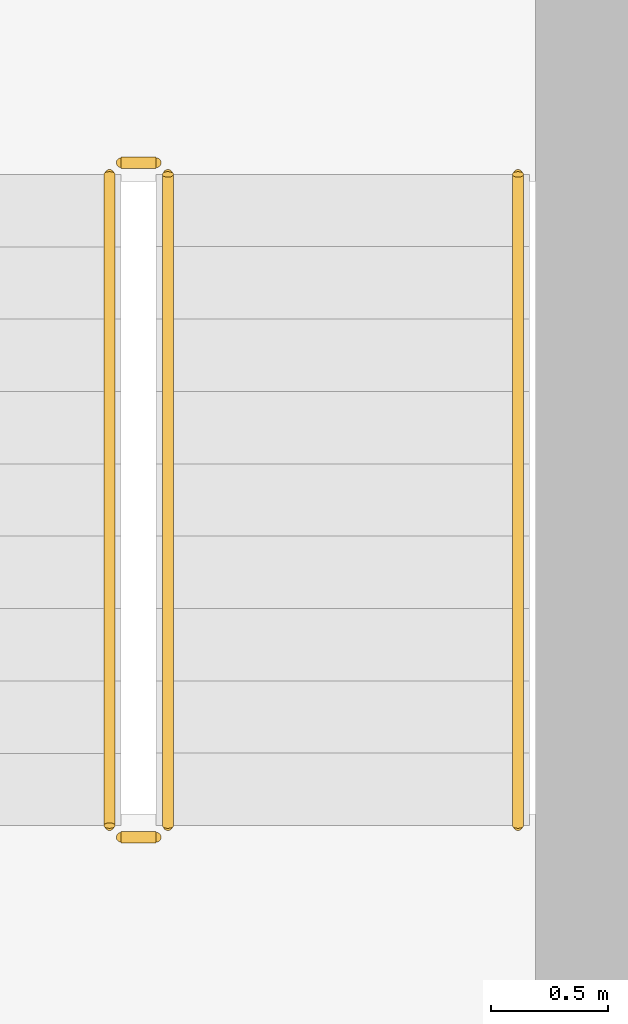
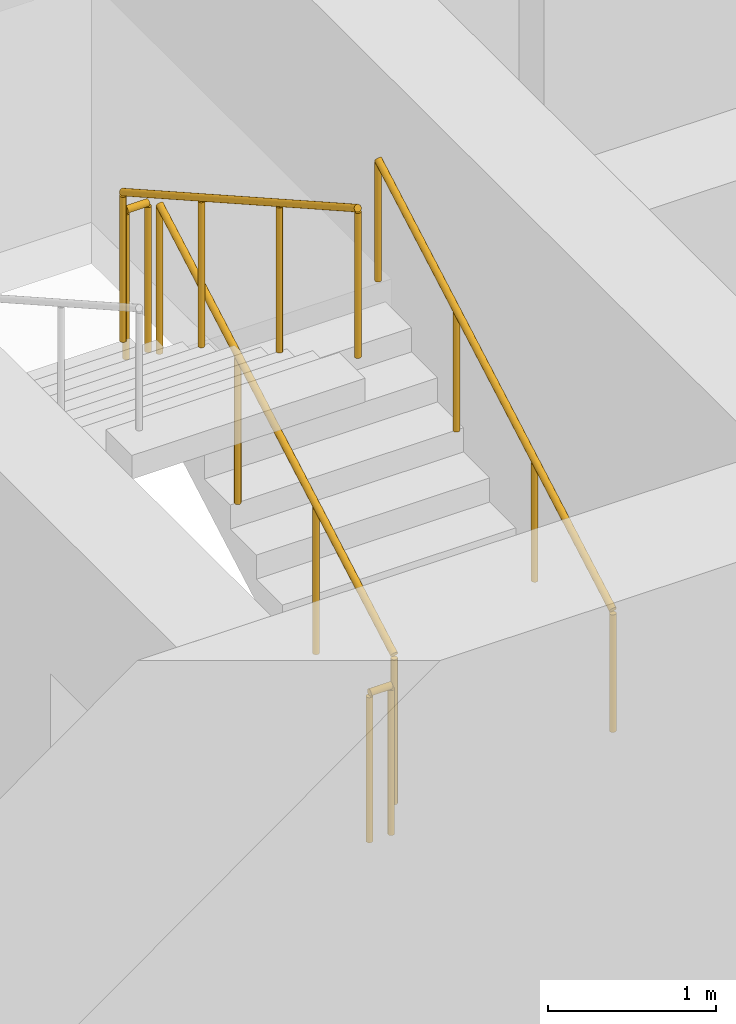
# One storey, part 18 of 22: 5 railings.
"""IFC4 building model written with IfcOpenShell, lengths in metres."""

from ifc_helpers import new_model, si_unit, direction, frame, origin, origin_2d, place, context, subcontext, project, spatial, circle, extrude, material, type_object, element, save


model = new_model("IFC4")

# Units and contexts
model_context = context("Model", 3, precision=1e-05, world=origin(), true_north=direction((0.0, 1.0)))
body_context = subcontext(model_context, "Body", "Model", "MODEL_VIEW")
ifc_project = project(units=[si_unit("LENGTHUNIT", "METRE"), si_unit("AREAUNIT", "SQUARE_METRE"), si_unit("VOLUMEUNIT", "CUBIC_METRE"), si_unit("PLANEANGLEUNIT", "RADIAN"), si_unit("MASSUNIT", "GRAM", prefix="KILO")], contexts=[model_context])

# Site, building, storey
site_placement = place(None, origin())
site = spatial("IfcSite", under=ifc_project, at=site_placement, CompositionType="ELEMENT")
building_placement = place(site_placement, origin())
building = spatial("IfcBuilding", under=site, at=building_placement, Name="Madar Terraces", CompositionType="ELEMENT")
storey_placement = place(building_placement, frame((0.0, 0.0, 62.800048828125)))
storey = spatial("IfcBuildingStorey", under=building, at=storey_placement, Name="L15", CompositionType="ELEMENT", Elevation=62.800048828125)

# Railings
ifc_material_1 = material(Name="Stainless steel railing", Category="steel")
railing_type_1 = type_object("IfcRailingType", Name="Stair guard 1100", PredefinedType="GUARDRAIL", material=ifc_material_1)
railing_1_placement = place(storey_placement, frame((21.199951171875, 17.60009765625, 0.175048828125)))
element("IfcRailing", 1, at=railing_1_placement, inside=storey, type_object=railing_type_1, Name="L15 ST1 stair guard 1", PredefinedType="GUARDRAIL", context=body_context, shape_type="SweptSolid", body=[
    extrude(circle(Radius=0.02392578125, at=origin_2d()), frame((0.0, 0.0, 1.076171875), z_axis=(0.0, 0.870815363784, 0.491610213684), x_axis=(-1.0, 0.0, 0.0)), (0.0, 0.0, 1.0), 3.20361328125),
    extrude(circle(Radius=0.02099609375, at=origin_2d()), origin(), (0.0, 0.0, 1.0), 1.052001953125),
    extrude(circle(Radius=0.02099609375, at=origin_2d()), frame((0.0, 0.929931640625, 0.52490234375)), (0.0, 0.0, 1.0), 1.052001953125),
    extrude(circle(Radius=0.02099609375, at=origin_2d()), frame((0.0, 1.85986328125, 1.050048828125)), (0.0, 0.0, 1.0), 1.052001953125),
    extrude(circle(Radius=0.02099609375, at=origin_2d()), frame((0.0, 2.789794921875, 1.574951171875)), (0.0, 0.0, 1.0), 1.052001953125),
])
railing_2_placement = place(storey_placement, frame((21.14990234375, 20.43994140625, 1.75)))
element("IfcRailing", 2, at=railing_2_placement, inside=storey, type_object=railing_type_1, Name="L15 ST1 stair guard 2", PredefinedType="GUARDRAIL", context=body_context, shape_type="SweptSolid", body=[
    extrude(circle(Radius=0.02392578125, at=origin_2d()), frame((0.0, 0.0, 1.076171875), z_axis=(-1.0, 0.0, 0.0), x_axis=(0.0, -1.0, 0.0)), (0.0, 0.0, 1.0), 0.14990234375),
    extrude(circle(Radius=0.02099609375, at=origin_2d()), origin(), (0.0, 0.0, 1.0), 1.052001953125),
    extrude(circle(Radius=0.02099609375, at=origin_2d()), frame((-0.14990234375, 0.0, 0.0)), (0.0, 0.0, 1.0), 1.052001953125),
])
railing_3_placement = place(storey_placement, frame((20.949951171875, 20.389892578125, 1.925048828125)))
element("IfcRailing", 3, at=railing_3_placement, inside=storey, type_object=railing_type_1, Name="L15 ST1 stair guard 3", PredefinedType="GUARDRAIL", context=body_context, shape_type="SweptSolid", body=[
    extrude(circle(Radius=0.02392578125, at=origin_2d()), frame((0.0, 0.0, 1.076171875), z_axis=(0.0, -0.870815363784, 0.491610213684), x_axis=(1.0, 0.0, 0.0)), (0.0, 0.0, 1.0), 3.20361328125),
    extrude(circle(Radius=0.02099609375, at=origin_2d()), origin(), (0.0, 0.0, 1.0), 1.052001953125),
    extrude(circle(Radius=0.02099609375, at=origin_2d()), frame((0.0, -0.929931640625, 0.52490234375)), (0.0, 0.0, 1.0), 1.052001953125),
    extrude(circle(Radius=0.02099609375, at=origin_2d()), frame((0.0, -1.85986328125, 1.050048828125)), (0.0, 0.0, 1.0), 1.052001953125),
    extrude(circle(Radius=0.02099609375, at=origin_2d()), frame((0.0, -2.789794921875, 1.574951171875)), (0.0, 0.0, 1.0), 1.052001953125),
])
railing_4_placement = place(storey_placement, frame((21.14990234375, 17.550048828125, 0.0)))
element("IfcRailing", 4, at=railing_4_placement, inside=storey, type_object=railing_type_1, Name="L15 ST1 stair guard 4", PredefinedType="GUARDRAIL", context=body_context, shape_type="SweptSolid", body=[
    extrude(circle(Radius=0.02392578125, at=origin_2d()), frame((0.0, 0.0, 1.076171875), z_axis=(-1.0, 0.0, 0.0), x_axis=(0.0, -1.0, 0.0)), (0.0, 0.0, 1.0), 0.14990234375),
    extrude(circle(Radius=0.02099609375, at=origin_2d()), origin(), (0.0, 0.0, 1.0), 1.052001953125),
    extrude(circle(Radius=0.02099609375, at=origin_2d()), frame((-0.14990234375, 0.0, 0.0)), (0.0, 0.0, 1.0), 1.052001953125),
])
ifc_material_2 = material(Name="Stainless steel railing", Category="steel")
railing_type_2 = type_object("IfcRailingType", Name="Stair handrail 900", PredefinedType="HANDRAIL", material=ifc_material_2)
railing_5_placement = place(storey_placement, frame((22.699951171875, 17.60009765625, 0.175048828125)))
element("IfcRailing", 5, at=railing_5_placement, inside=storey, type_object=railing_type_2, Name="L15 ST1 stair handrail 1", PredefinedType="HANDRAIL", context=body_context, shape_type="SweptSolid", body=[
    extrude(circle(Radius=0.02392578125, at=origin_2d()), frame((0.0, 0.0, 0.8759765625), z_axis=(0.0, 0.870815363784, 0.491610213684), x_axis=(-1.0, 0.0, 0.0)), (0.0, 0.0, 1.0), 3.20361328125),
    extrude(circle(Radius=0.02099609375, at=origin_2d()), origin(), (0.0, 0.0, 1.0), 0.851806640625),
    extrude(circle(Radius=0.02099609375, at=origin_2d()), frame((0.0, 0.929931640625, 0.52490234375)), (0.0, 0.0, 1.0), 0.851806640625),
    extrude(circle(Radius=0.02099609375, at=origin_2d()), frame((0.0, 1.85986328125, 1.050048828125)), (0.0, 0.0, 1.0), 0.851806640625),
    extrude(circle(Radius=0.02099609375, at=origin_2d()), frame((0.0, 2.789794921875, 1.574951171875)), (0.0, 0.0, 1.0), 0.851806640625),
])

save(model, "model.ifc")
